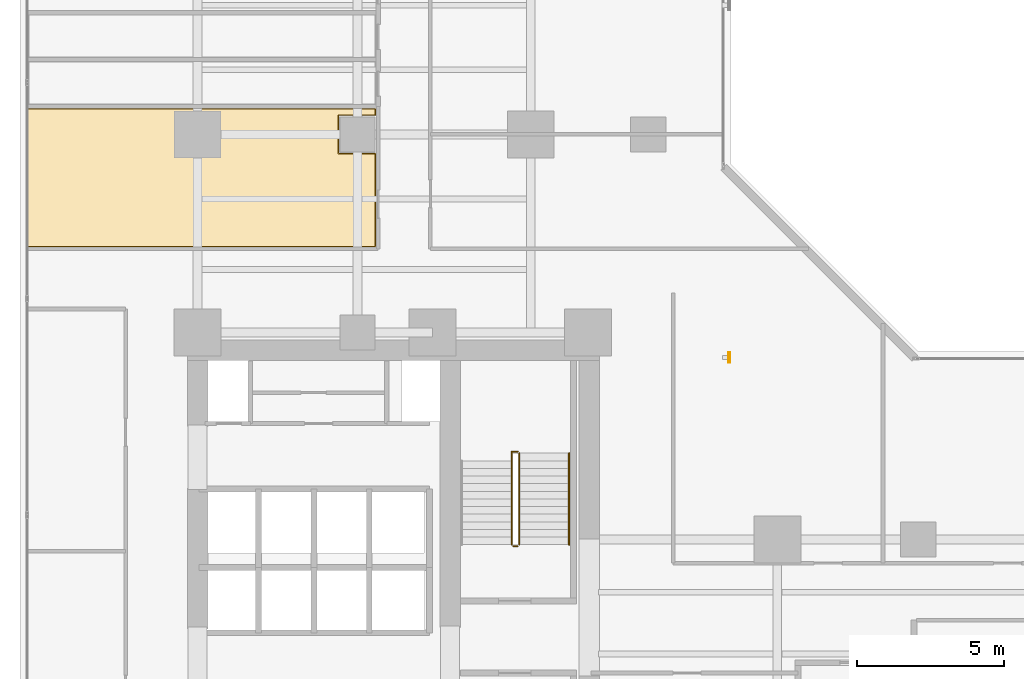
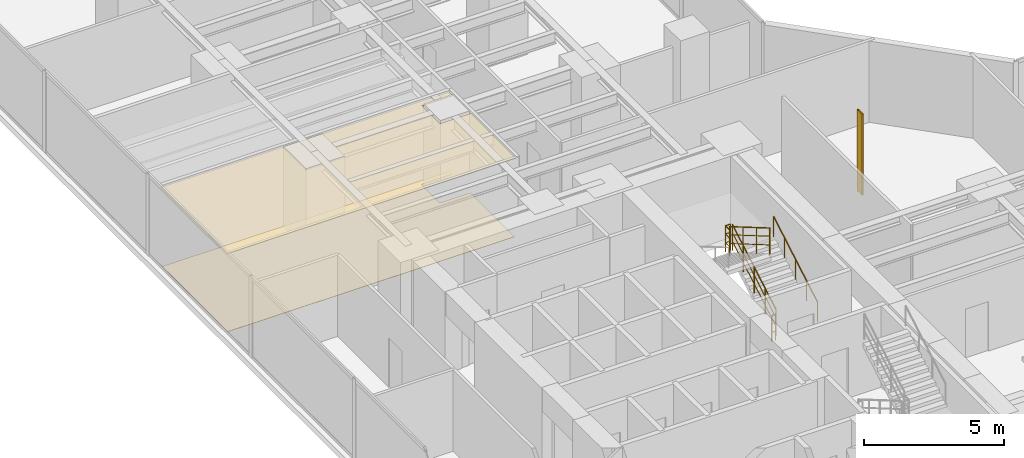
# One storey, part 28 of 30: 5 railings, 2 coverings, 1 shading device.
"""IFC4 building model written with IfcOpenShell, lengths in metres."""

from ifc_helpers import new_model, si_unit, direction, frame, origin, origin_2d, place, context, subcontext, project, spatial, polyline, hollow_rectangle, circle, outline, extrude, material, layer, layer_set, material_profile, profile_set, type_object, element, save


model = new_model("IFC4")

# Units and contexts
model_context = context("Model", 3, precision=1e-05, world=origin(), true_north=direction((0.0, 1.0)))
body_context = subcontext(model_context, "Body", "Model", "MODEL_VIEW")
ifc_project = project(units=[si_unit("LENGTHUNIT", "METRE"), si_unit("AREAUNIT", "SQUARE_METRE"), si_unit("VOLUMEUNIT", "CUBIC_METRE"), si_unit("PLANEANGLEUNIT", "RADIAN"), si_unit("MASSUNIT", "GRAM", prefix="KILO")], contexts=[model_context])

# Site, building, storey
site_placement = place(None, origin())
site = spatial("IfcSite", under=ifc_project, at=site_placement, CompositionType="ELEMENT")
building_placement = place(site_placement, origin())
building = spatial("IfcBuilding", under=site, at=building_placement, Name="Kolvaren Waterfront Exchange", CompositionType="ELEMENT")
storey_placement = place(building_placement, frame((0.0, 0.0, 52.39990234375)))
storey = spatial("IfcBuildingStorey", under=building, at=storey_placement, Name="L13", CompositionType="ELEMENT", Elevation=52.39990234375)

# Covering
ifc_material_1 = material(Name="Mineral fibre acoustic ceiling tile")
ifc_layer_1 = layer(ifc_material_1, 0.02490234375, Name="Mineral fibre acoustic ceiling tile")
ifc_layer_set_1 = layer_set([ifc_layer_1], Name="Mineral fibre acoustic ceiling tile")
covering_type_1 = type_object("IfcCoveringType", Name="ARC-CEIL-ACOUSTIC-25", PredefinedType="CEILING", material=ifc_layer_set_1)
covering_1_placement = place(storey_placement, frame((0.0, 0.0, 3.425048828125)))
element("IfcCovering", 1, at=covering_1_placement, inside=storey, type_object=covering_type_1, Name="L13 acoustic suspended ceiling 1", PredefinedType="CEILING", context=body_context, shape_type="SweptSolid", body=[
    extrude(outline(polyline([(13.534912109375, 30.56005859375), (12.260009765625, 30.56005859375), (12.260009765625, 31.840087890625), (13.534912109375, 31.840087890625), (13.534912109375, 32.10498046875), (1.64501953125, 32.10498046875), (1.64501953125, 27.344970703125), (13.534912109375, 27.344970703125), (13.534912109375, 30.56005859375)])), origin(), (0.0, 0.0, 1.0), 0.025146484375),
])

# Shading device
ifc_material_2 = material(Name="Anodised bronze aluminium 6063-T6", Category="aluminium")
ifc_material_profile = material_profile(ifc_material_2, hollow_rectangle(XDim=0.06005859375, YDim=0.35009765625, WallThickness=0.0048828125, at=origin_2d()), Name="BRZ-FIN-350x60x5")
ifc_profile_set = profile_set([ifc_material_profile], Name="Anodised bronze aluminium 6063-T6")
shading_device_type = type_object("IfcShadingDeviceType", Name="ARC-FIN-350", PredefinedType="USERDEFINED", material=ifc_profile_set)
shading_device_placement = place(storey_placement, frame((25.56005859375, 23.60009765625, 0.0), z_axis=(0.0, 0.0, 1.0), x_axis=(1.0, 0.0, 0.0)))
element("IfcShadingDevice", 2, at=shading_device_placement, inside=storey, type_object=shading_device_type, Name="L13 anodised bronze solar shading fin FIN-L13-E2", ObjectType="SOLAR FIN", PredefinedType="USERDEFINED", context=body_context, shape_type="SweptSolid", body=[
    extrude(hollow_rectangle(XDim=0.06005859375, YDim=0.35009765625, WallThickness=0.0048828125, at=origin_2d()), origin(), (0.0, 0.0, 1.0), 3.5400390625),
])

# Covering
ifc_material_3 = material(Name="Slip-resistant porcelain tile")
ifc_layer_2 = layer(ifc_material_3, 0.014892578125, Name="Slip-resistant porcelain tile")
ifc_layer_set_2 = layer_set([ifc_layer_2], Name="Slip-resistant porcelain tile")
covering_type_2 = type_object("IfcCoveringType", Name="ARC-FLR-PORC-15", PredefinedType="FLOORING", material=ifc_layer_set_2)
covering_2_placement = place(storey_placement, origin())
element("IfcCovering", 3, at=covering_2_placement, inside=storey, type_object=covering_type_2, Name="L13 floor finish 1", PredefinedType="FLOORING", context=body_context, shape_type="SweptSolid", body=[
    extrude(outline(polyline([(1.679931640625, 32.070068359375), (1.679931640625, 27.3798828125), (13.5, 27.3798828125), (13.5, 30.5400390625), (12.239990234375, 30.5400390625), (12.239990234375, 31.860107421875), (13.5, 31.860107421875), (13.5, 32.070068359375), (1.679931640625, 32.070068359375)])), origin(), (0.0, 0.0, 1.0), 0.01513671875),
])

# Railings
ifc_material_4 = material(Name="Stainless steel 316", Category="steel")
railing_type_1 = type_object("IfcRailingType", Name="ARC-GUARD-STAIR", PredefinedType="GUARDRAIL", material=ifc_material_4)
railing_1_placement = place(storey_placement, frame((18.409912109375, 17.219970703125, 0.152099609375)))
element("IfcRailing", 4, at=railing_1_placement, inside=storey, type_object=railing_type_1, Name="L13 ST2 stair guard 1", PredefinedType="GUARDRAIL", context=body_context, shape_type="SweptSolid", body=[
    extrude(circle(Radius=0.02392578125, at=origin_2d()), frame((0.0, 0.0, 1.1259765625), z_axis=(0.0, 0.86330811405, 0.504677223793), x_axis=(-1.0, 0.0, 0.0)), (0.0, 0.0, 1.0), 3.6142578125),
    extrude(circle(Radius=0.01611328125, at=origin_2d()), frame((0.0, 0.0, 0.390869140625), z_axis=(0.0, 0.86330811405, 0.504677223793), x_axis=(-1.0, 0.0, 0.0)), (0.0, 0.0, 1.0), 3.6142578125),
    extrude(circle(Radius=0.01611328125, at=origin_2d()), frame((0.0, 0.0, 0.7705078125), z_axis=(0.0, 0.86330811405, 0.504677223793), x_axis=(-1.0, 0.0, 0.0)), (0.0, 0.0, 1.0), 3.6142578125),
    extrude(circle(Radius=0.02099609375, at=origin_2d()), origin(), (0.0, 0.0, 1.0), 1.101806640625),
    extrude(circle(Radius=0.02099609375, at=origin_2d()), frame((0.0, 0.780029296875, 0.4560546875)), (0.0, 0.0, 1.0), 1.101806640625),
    extrude(circle(Radius=0.02099609375, at=origin_2d()), frame((0.0, 1.56005859375, 0.912109375)), (0.0, 0.0, 1.0), 1.101806640625),
    extrude(circle(Radius=0.02099609375, at=origin_2d()), frame((0.0, 2.340087890625, 1.367919921875)), (0.0, 0.0, 1.0), 1.101806640625),
    extrude(circle(Radius=0.02099609375, at=origin_2d()), frame((0.0, 3.1201171875, 1.823974609375)), (0.0, 0.0, 1.0), 1.101806640625),
])
railing_2_placement = place(storey_placement, frame((18.360107421875, 20.389892578125, 1.97607421875)))
element("IfcRailing", 5, at=railing_2_placement, inside=storey, type_object=railing_type_1, Name="L13 ST2 stair guard 2", PredefinedType="GUARDRAIL", context=body_context, shape_type="SweptSolid", body=[
    extrude(circle(Radius=0.02392578125, at=origin_2d()), frame((0.0, 0.0, 1.1259765625), z_axis=(-1.0, 0.0, 0.0), x_axis=(0.0, -1.0, 0.0)), (0.0, 0.0, 1.0), 0.210205078125),
    extrude(circle(Radius=0.01611328125, at=origin_2d()), frame((0.0, 0.0, 0.390869140625), z_axis=(-1.0, 0.0, 0.0), x_axis=(0.0, -1.0, 0.0)), (0.0, 0.0, 1.0), 0.210205078125),
    extrude(circle(Radius=0.01611328125, at=origin_2d()), frame((0.0, 0.0, 0.7705078125), z_axis=(-1.0, 0.0, 0.0), x_axis=(0.0, -1.0, 0.0)), (0.0, 0.0, 1.0), 0.210205078125),
    extrude(circle(Radius=0.02392578125, at=origin_2d()), frame((-0.210205078125, 0.0, 1.1259765625), z_axis=(0.0, -1.0, 0.0), x_axis=(1.0, 0.0, 0.0)), (0.0, 0.0, 1.0), 0.309814453125),
    extrude(circle(Radius=0.01611328125, at=origin_2d()), frame((-0.210205078125, 0.0, 0.390869140625), z_axis=(0.0, -1.0, 0.0), x_axis=(1.0, 0.0, 0.0)), (0.0, 0.0, 1.0), 0.309814453125),
    extrude(circle(Radius=0.01611328125, at=origin_2d()), frame((-0.210205078125, 0.0, 0.7705078125), z_axis=(0.0, -1.0, 0.0), x_axis=(1.0, 0.0, 0.0)), (0.0, 0.0, 1.0), 0.309814453125),
    extrude(circle(Radius=0.02099609375, at=origin_2d()), origin(), (0.0, 0.0, 1.0), 1.101806640625),
    extrude(circle(Radius=0.02099609375, at=origin_2d()), frame((-0.210205078125, 0.0, 0.0)), (0.0, 0.0, 1.0), 1.101806640625),
    extrude(circle(Radius=0.02099609375, at=origin_2d()), frame((-0.210205078125, -0.309814453125, 0.0)), (0.0, 0.0, 1.0), 1.101806640625),
])
railing_3_placement = place(storey_placement, frame((18.14990234375, 20.080078125, 2.128173828125)))
element("IfcRailing", 6, at=railing_3_placement, inside=storey, type_object=railing_type_1, Name="L13 ST2 stair guard 3", PredefinedType="GUARDRAIL", context=body_context, shape_type="SweptSolid", body=[
    extrude(circle(Radius=0.02392578125, at=origin_2d()), frame((0.0, 0.0, 1.1259765625), z_axis=(0.0, -0.863321491973, 0.504654338629), x_axis=(1.0, 0.0, 0.0)), (0.0, 0.0, 1.0), 3.31298828125),
    extrude(circle(Radius=0.01611328125, at=origin_2d()), frame((0.0, 0.0, 0.390869140625), z_axis=(0.0, -0.863321491973, 0.504654338629), x_axis=(1.0, 0.0, 0.0)), (0.0, 0.0, 1.0), 3.31298828125),
    extrude(circle(Radius=0.01611328125, at=origin_2d()), frame((0.0, 0.0, 0.7705078125), z_axis=(0.0, -0.863321491973, 0.504654338629), x_axis=(1.0, 0.0, 0.0)), (0.0, 0.0, 1.0), 3.31298828125),
    extrude(circle(Radius=0.02099609375, at=origin_2d()), origin(), (0.0, 0.0, 1.0), 1.101806640625),
    extrude(circle(Radius=0.02099609375, at=origin_2d()), frame((0.0, -0.953369140625, 0.557373046875)), (0.0, 0.0, 1.0), 1.101806640625),
    extrude(circle(Radius=0.02099609375, at=origin_2d()), frame((0.0, -1.90673828125, 1.114501953125)), (0.0, 0.0, 1.0), 1.101806640625),
    extrude(circle(Radius=0.02099609375, at=origin_2d()), frame((0.0, -2.860107421875, 1.671875)), (0.0, 0.0, 1.0), 1.101806640625),
])
railing_4_placement = place(storey_placement, frame((18.360107421875, 17.169921875, 0.0)))
element("IfcRailing", 7, at=railing_4_placement, inside=storey, type_object=railing_type_1, Name="L13 ST2 stair guard 4", PredefinedType="GUARDRAIL", context=body_context, shape_type="SweptSolid", body=[
    extrude(circle(Radius=0.02392578125, at=origin_2d()), frame((0.0, 0.0, 1.1259765625), z_axis=(-1.0, 0.0, 0.0), x_axis=(0.0, -1.0, 0.0)), (0.0, 0.0, 1.0), 0.16015625),
    extrude(circle(Radius=0.01611328125, at=origin_2d()), frame((0.0, 0.0, 0.390869140625), z_axis=(-1.0, 0.0, 0.0), x_axis=(0.0, -1.0, 0.0)), (0.0, 0.0, 1.0), 0.16015625),
    extrude(circle(Radius=0.01611328125, at=origin_2d()), frame((0.0, 0.0, 0.7705078125), z_axis=(-1.0, 0.0, 0.0), x_axis=(0.0, -1.0, 0.0)), (0.0, 0.0, 1.0), 0.16015625),
    extrude(circle(Radius=0.02099609375, at=origin_2d()), origin(), (0.0, 0.0, 1.0), 1.101806640625),
    extrude(circle(Radius=0.02099609375, at=origin_2d()), frame((-0.16015625, 0.0, 0.0)), (0.0, 0.0, 1.0), 1.101806640625),
])
railing_type_2 = type_object("IfcRailingType", Name="ARC-HANDRAIL-900", PredefinedType="HANDRAIL", material=ifc_material_4)
railing_5_placement = place(storey_placement, frame((20.110107421875, 17.219970703125, 0.152099609375)))
element("IfcRailing", 8, at=railing_5_placement, inside=storey, type_object=railing_type_2, Name="L13 ST2 stair handrail 1", PredefinedType="HANDRAIL", context=body_context, shape_type="SweptSolid", body=[
    extrude(circle(Radius=0.02392578125, at=origin_2d()), frame((0.0, 0.0, 0.8759765625), z_axis=(0.0, 0.86330811405, 0.504677223793), x_axis=(-1.0, 0.0, 0.0)), (0.0, 0.0, 1.0), 3.6142578125),
    extrude(circle(Radius=0.02099609375, at=origin_2d()), origin(), (0.0, 0.0, 1.0), 0.851806640625),
    extrude(circle(Radius=0.02099609375, at=origin_2d()), frame((0.0, 0.780029296875, 0.4560546875)), (0.0, 0.0, 1.0), 0.851806640625),
    extrude(circle(Radius=0.02099609375, at=origin_2d()), frame((0.0, 1.56005859375, 0.912109375)), (0.0, 0.0, 1.0), 0.851806640625),
    extrude(circle(Radius=0.02099609375, at=origin_2d()), frame((0.0, 2.340087890625, 1.367919921875)), (0.0, 0.0, 1.0), 0.851806640625),
    extrude(circle(Radius=0.02099609375, at=origin_2d()), frame((0.0, 3.1201171875, 1.823974609375)), (0.0, 0.0, 1.0), 0.851806640625),
])

save(model, "model.ifc")
